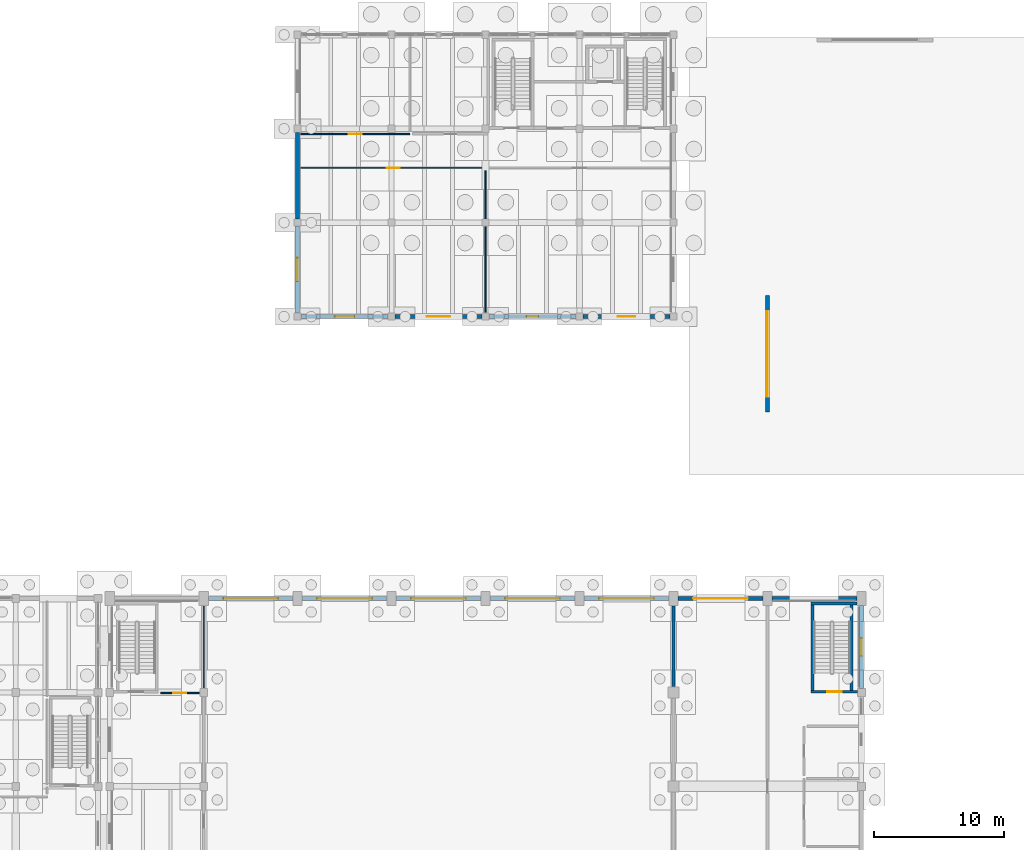
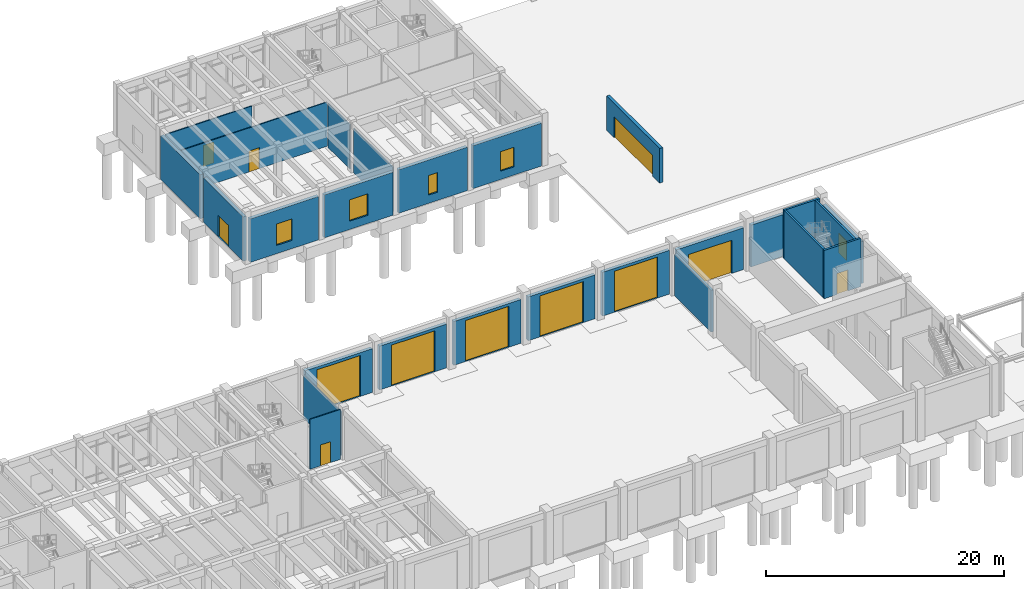
# One storey, part 68 of 93: 26 walls, 12 doors, 5 windows, 17 openings.
"""IFC4 building model written with IfcOpenShell, lengths in metres."""

from ifc_helpers import new_model, si_unit, direction, frame, frame_2d, origin, place, context, subcontext, project, spatial, rectangle, extrude, material, layer, layer_set, type_object, element, fill, save


model = new_model("IFC4")

# Units and contexts
model_context = context("Model", 3, precision=1e-05, world=origin(), true_north=direction((0.0, 1.0)))
body_context = subcontext(model_context, "Body", "Model", "MODEL_VIEW")
ifc_project = project(units=[si_unit("LENGTHUNIT", "METRE"), si_unit("AREAUNIT", "SQUARE_METRE"), si_unit("VOLUMEUNIT", "CUBIC_METRE"), si_unit("PLANEANGLEUNIT", "RADIAN"), si_unit("MASSUNIT", "GRAM", prefix="KILO")], contexts=[model_context])

# Site, building, storey
site_placement = place(None, origin())
site = spatial("IfcSite", under=ifc_project, at=site_placement, CompositionType="ELEMENT")
building_placement = place(site_placement, origin())
building = spatial("IfcBuilding", under=site, at=building_placement, Name="Koriwan Promenade Central Fire Station", CompositionType="ELEMENT")
storey_placement = place(building_placement, origin())
storey = spatial("IfcBuildingStorey", under=building, at=storey_placement, Name="L00", CompositionType="ELEMENT", Elevation=0.0)

# Wall, opening, window
ifc_material_1 = material(Name="Precast concrete C40/50", Category="concrete")
ifc_layer_1 = layer(ifc_material_1, 0.320068359375, Name="Precast concrete C40/50")
ifc_layer_set_1 = layer_set([ifc_layer_1], Name="Precast concrete C40/50")
wall_type_1 = type_object("IfcWallType", Name="ExtWall_Terracotta_320", PredefinedType="ELEMENTEDWALL", material=ifc_layer_set_1)
wall_1_placement = place(storey_placement, frame((115.199951171875, 65.10009765625, 0.0), z_axis=(0.0, 0.0, 1.0), x_axis=(0.0, 1.0, 0.0)))
wall_1 = element("IfcWall", 1, at=wall_1_placement, inside=storey, type_object=wall_type_1, Name="V1 L00 exterior wall 4", PredefinedType="ELEMENTEDWALL", context=body_context, shape_type="SweptSolid", body=[
    extrude(rectangle(XDim=6.349853515625, YDim=0.320068359375, at=frame_2d((3.1748046875, 0.0))), origin(), (0.0, 0.0, 1.0), 4.2900390625),
])
opening_1_placement = place(wall_1_placement, frame((2.5, 0.0, 0.85009765625)))
opening_1 = element("IfcOpeningElement", 2, at=opening_1_placement, cuts=wall_1, Name="Opening W-05", PredefinedType="OPENING", context=body_context, shape_type="SweptSolid", body=[
    extrude(rectangle(XDim=1.35009765625, YDim=2.0, at=frame_2d((0.675048828125, 1.0))), frame((0.0, 0.171875, 0.0), z_axis=(0.0, -1.0, 0.0), x_axis=(1.0, 0.0, 0.0)), (0.0, 0.0, 1.0), 0.343994140625),
])
ifc_material_2 = material(Name="Solar-control low-E laminated double glazing", Category="glass")
window_type_1 = type_object("IfcWindowType", Name="Win_HQ_1350x2000", PartitioningType="SINGLE_PANEL", PredefinedType="WINDOW", material=ifc_material_2)
window_1_placement = place(opening_1_placement, origin())
window_1 = element("IfcWindow", 3, at=window_1_placement, inside=storey, type_object=window_type_1, Name="V1 L00 window 0003", OverallHeight=2.0, OverallWidth=1.35009765625, PartitioningType="SINGLE_PANEL", PredefinedType="WINDOW", context=body_context, shape_type="SweptSolid", body=[
    extrude(rectangle(XDim=1.35009765625, YDim=2.0, at=frame_2d((0.675048828125, 1.0))), frame((0.0, 0.030029296875, 0.0), z_axis=(0.0, -1.0, 0.0), x_axis=(1.0, 0.0, 0.0)), (0.0, 0.0, 1.0), 0.06005859375),
])
fill(opening_1, window_1)

# Wall
wall_2_placement = place(storey_placement, frame((114.85009765625, 72.0, 0.0), z_axis=(0.0, 0.0, 1.0), x_axis=(-1.0, 0.0, 0.0)))
element("IfcWall", 4, at=wall_2_placement, inside=storey, type_object=wall_type_1, Name="V1 L00 exterior wall 5", PredefinedType="ELEMENTEDWALL", context=body_context, shape_type="SweptSolid", body=[
    extrude(rectangle(XDim=6.5, YDim=0.320068359375, at=frame_2d((3.25, 0.0))), origin(), (0.0, 0.0, 1.0), 4.2900390625),
])

# Wall, opening, door
wall_3_placement = place(storey_placement, frame((107.64990234375, 72.0, 0.0), z_axis=(0.0, 0.0, 1.0), x_axis=(-1.0, 0.0, 0.0)))
wall_3 = element("IfcWall", 5, at=wall_3_placement, inside=storey, type_object=wall_type_1, Name="V1 apparatus bay wall 6", PredefinedType="ELEMENTEDWALL", context=body_context, shape_type="SweptSolid", body=[
    extrude(rectangle(XDim=6.5, YDim=0.320068359375, at=frame_2d((3.25, 0.0))), origin(), (0.0, 0.0, 1.0), 4.2900390625),
])
opening_2_placement = place(wall_3_placement, frame((1.14990234375, 0.0, 0.0)))
opening_2 = element("IfcOpeningElement", 6, at=opening_2_placement, cuts=wall_3, Name="Opening APD-001", PredefinedType="OPENING", context=body_context, shape_type="SweptSolid", body=[
    extrude(rectangle(XDim=4.199951171875, YDim=3.39990234375, at=frame_2d((2.10009765625, 1.699951171875))), frame((0.0, 0.171875, 0.0), z_axis=(0.0, -1.0, 0.0), x_axis=(1.0, 0.0, 0.0)), (0.0, 0.0, 1.0), 0.343994140625),
])
ifc_material_3 = material(Name="Aluminium EN AW-6063-T6 and laminated safety glass", Category="aluminium")
door_type_1 = type_object("IfcDoorType", Name="ApparatusDoor_4200x3400", OperationType="DOUBLE_SWING_LEFT", PredefinedType="DOOR", material=ifc_material_3)
door_1_placement = place(opening_2_placement, frame((4.199951171875, 0.0, 0.0), z_axis=(0.0, 0.0, 1.0), x_axis=(-1.0, 0.0, 0.0)))
door_1 = element("IfcDoor", 7, at=door_1_placement, inside=storey, type_object=door_type_1, Name="Appliance Bay Double-Swing Vehicle Door APD-001", OperationType="DOUBLE_SWING_LEFT", OverallHeight=3.39990234375, OverallWidth=4.199951171875, PredefinedType="DOOR", context=body_context, shape_type="SweptSolid", body=[
    extrude(rectangle(XDim=4.199951171875, YDim=3.39990234375, at=frame_2d((2.10009765625, 1.699951171875))), frame((0.0, 0.02490234375, 0.0), z_axis=(0.0, -1.0, 0.0), x_axis=(1.0, 0.0, 0.0)), (0.0, 0.0, 1.0), 0.050048828125),
])
fill(opening_2, door_1)

wall_4_placement = place(storey_placement, frame((100.449951171875, 72.0, 0.0), z_axis=(0.0, 0.0, 1.0), x_axis=(-1.0, 0.0, 0.0)))
wall_4 = element("IfcWall", 8, at=wall_4_placement, inside=storey, type_object=wall_type_1, Name="V1 apparatus bay wall 7", PredefinedType="ELEMENTEDWALL", context=body_context, shape_type="SweptSolid", body=[
    extrude(rectangle(XDim=6.5, YDim=0.320068359375, at=frame_2d((3.25, 0.0))), origin(), (0.0, 0.0, 1.0), 4.489990234375),
])
opening_3_placement = place(wall_4_placement, frame((1.14990234375, 0.0, 0.0)))
opening_3 = element("IfcOpeningElement", 9, at=opening_3_placement, cuts=wall_4, Name="Opening APD-002", PredefinedType="OPENING", context=body_context, shape_type="SweptSolid", body=[
    extrude(rectangle(XDim=4.199951171875, YDim=4.199951171875, at=frame_2d((2.10009765625, 2.10009765625))), frame((0.0, 0.171875, 0.0), z_axis=(0.0, -1.0, 0.0), x_axis=(1.0, 0.0, 0.0)), (0.0, 0.0, 1.0), 0.343994140625),
])
door_type_2 = type_object("IfcDoorType", Name="ApparatusDoor_4200x4200", OperationType="DOUBLE_SWING_LEFT", PredefinedType="DOOR", material=ifc_material_3)
door_2_placement = place(opening_3_placement, frame((4.199951171875, 0.0, 0.0), z_axis=(0.0, 0.0, 1.0), x_axis=(-1.0, 0.0, 0.0)))
door_2 = element("IfcDoor", 10, at=door_2_placement, inside=storey, type_object=door_type_2, Name="Appliance Bay Double-Swing Vehicle Door APD-002", OperationType="DOUBLE_SWING_LEFT", OverallHeight=4.199951171875, OverallWidth=4.199951171875, PredefinedType="DOOR", context=body_context, shape_type="SweptSolid", body=[
    extrude(rectangle(XDim=4.199951171875, YDim=4.199951171875, at=frame_2d((2.10009765625, 2.10009765625))), frame((0.0, 0.02490234375, 0.0), z_axis=(0.0, -1.0, 0.0), x_axis=(1.0, 0.0, 0.0)), (0.0, 0.0, 1.0), 0.050048828125),
])
fill(opening_3, door_2)

wall_5_placement = place(storey_placement, frame((93.25, 72.0, 0.0), z_axis=(0.0, 0.0, 1.0), x_axis=(-1.0, 0.0, 0.0)))
wall_5 = element("IfcWall", 11, at=wall_5_placement, inside=storey, type_object=wall_type_1, Name="V1 apparatus bay wall 8", PredefinedType="ELEMENTEDWALL", context=body_context, shape_type="SweptSolid", body=[
    extrude(rectangle(XDim=6.5, YDim=0.320068359375, at=frame_2d((3.25, 0.0))), origin(), (0.0, 0.0, 1.0), 4.489990234375),
])
opening_4_placement = place(wall_5_placement, frame((1.14990234375, 0.0, 0.0)))
opening_4 = element("IfcOpeningElement", 12, at=opening_4_placement, cuts=wall_5, Name="Opening APD-003", PredefinedType="OPENING", context=body_context, shape_type="SweptSolid", body=[
    extrude(rectangle(XDim=4.199951171875, YDim=4.199951171875, at=frame_2d((2.10009765625, 2.10009765625))), frame((0.0, 0.171875, 0.0), z_axis=(0.0, -1.0, 0.0), x_axis=(1.0, 0.0, 0.0)), (0.0, 0.0, 1.0), 0.343994140625),
])
door_3_placement = place(opening_4_placement, frame((4.199951171875, 0.0, 0.0), z_axis=(0.0, 0.0, 1.0), x_axis=(-1.0, 0.0, 0.0)))
door_3 = element("IfcDoor", 13, at=door_3_placement, inside=storey, type_object=door_type_2, Name="Appliance Bay Double-Swing Vehicle Door APD-003", OperationType="DOUBLE_SWING_LEFT", OverallHeight=4.199951171875, OverallWidth=4.199951171875, PredefinedType="DOOR", context=body_context, shape_type="SweptSolid", body=[
    extrude(rectangle(XDim=4.199951171875, YDim=4.199951171875, at=frame_2d((2.10009765625, 2.10009765625))), frame((0.0, 0.02490234375, 0.0), z_axis=(0.0, -1.0, 0.0), x_axis=(1.0, 0.0, 0.0)), (0.0, 0.0, 1.0), 0.050048828125),
])
fill(opening_4, door_3)

wall_6_placement = place(storey_placement, frame((86.050048828125, 72.0, 0.0), z_axis=(0.0, 0.0, 1.0), x_axis=(-1.0, 0.0, 0.0)))
wall_6 = element("IfcWall", 14, at=wall_6_placement, inside=storey, type_object=wall_type_1, Name="V1 apparatus bay wall 9", PredefinedType="ELEMENTEDWALL", context=body_context, shape_type="SweptSolid", body=[
    extrude(rectangle(XDim=6.5, YDim=0.320068359375, at=frame_2d((3.25, 0.0))), origin(), (0.0, 0.0, 1.0), 4.489990234375),
])
opening_5_placement = place(wall_6_placement, frame((1.14990234375, 0.0, 0.0)))
opening_5 = element("IfcOpeningElement", 15, at=opening_5_placement, cuts=wall_6, Name="Opening APD-004", PredefinedType="OPENING", context=body_context, shape_type="SweptSolid", body=[
    extrude(rectangle(XDim=4.199951171875, YDim=4.199951171875, at=frame_2d((2.10009765625, 2.10009765625))), frame((0.0, 0.171875, 0.0), z_axis=(0.0, -1.0, 0.0), x_axis=(1.0, 0.0, 0.0)), (0.0, 0.0, 1.0), 0.343994140625),
])
door_4_placement = place(opening_5_placement, frame((4.199951171875, 0.0, 0.0), z_axis=(0.0, 0.0, 1.0), x_axis=(-1.0, 0.0, 0.0)))
door_4 = element("IfcDoor", 16, at=door_4_placement, inside=storey, type_object=door_type_2, Name="Appliance Bay Double-Swing Vehicle Door APD-004", OperationType="DOUBLE_SWING_LEFT", OverallHeight=4.199951171875, OverallWidth=4.199951171875, PredefinedType="DOOR", context=body_context, shape_type="SweptSolid", body=[
    extrude(rectangle(XDim=4.199951171875, YDim=4.199951171875, at=frame_2d((2.10009765625, 2.10009765625))), frame((0.0, 0.02490234375, 0.0), z_axis=(0.0, -1.0, 0.0), x_axis=(1.0, 0.0, 0.0)), (0.0, 0.0, 1.0), 0.050048828125),
])
fill(opening_5, door_4)

wall_7_placement = place(storey_placement, frame((78.85009765625, 72.0, 0.0), z_axis=(0.0, 0.0, 1.0), x_axis=(-1.0, 0.0, 0.0)))
wall_7 = element("IfcWall", 17, at=wall_7_placement, inside=storey, type_object=wall_type_1, Name="V1 apparatus bay wall 10", PredefinedType="ELEMENTEDWALL", context=body_context, shape_type="SweptSolid", body=[
    extrude(rectangle(XDim=6.5, YDim=0.320068359375, at=frame_2d((3.25, 0.0))), origin(), (0.0, 0.0, 1.0), 4.489990234375),
])
opening_6_placement = place(wall_7_placement, frame((1.14990234375, 0.0, 0.0)))
opening_6 = element("IfcOpeningElement", 18, at=opening_6_placement, cuts=wall_7, Name="Opening APD-005", PredefinedType="OPENING", context=body_context, shape_type="SweptSolid", body=[
    extrude(rectangle(XDim=4.199951171875, YDim=4.199951171875, at=frame_2d((2.10009765625, 2.10009765625))), frame((0.0, 0.171875, 0.0), z_axis=(0.0, -1.0, 0.0), x_axis=(1.0, 0.0, 0.0)), (0.0, 0.0, 1.0), 0.343994140625),
])
door_5_placement = place(opening_6_placement, frame((4.199951171875, 0.0, 0.0), z_axis=(0.0, 0.0, 1.0), x_axis=(-1.0, 0.0, 0.0)))
door_5 = element("IfcDoor", 19, at=door_5_placement, inside=storey, type_object=door_type_2, Name="Appliance Bay Double-Swing Vehicle Door APD-005", OperationType="DOUBLE_SWING_LEFT", OverallHeight=4.199951171875, OverallWidth=4.199951171875, PredefinedType="DOOR", context=body_context, shape_type="SweptSolid", body=[
    extrude(rectangle(XDim=4.199951171875, YDim=4.199951171875, at=frame_2d((2.10009765625, 2.10009765625))), frame((0.0, 0.02490234375, 0.0), z_axis=(0.0, -1.0, 0.0), x_axis=(1.0, 0.0, 0.0)), (0.0, 0.0, 1.0), 0.050048828125),
])
fill(opening_6, door_5)

wall_8_placement = place(storey_placement, frame((71.64990234375, 72.0, 0.0), z_axis=(0.0, 0.0, 1.0), x_axis=(-1.0, 0.0, 0.0)))
wall_8 = element("IfcWall", 20, at=wall_8_placement, inside=storey, type_object=wall_type_1, Name="V1 apparatus bay wall 11", PredefinedType="ELEMENTEDWALL", context=body_context, shape_type="SweptSolid", body=[
    extrude(rectangle(XDim=6.5, YDim=0.320068359375, at=frame_2d((3.25, 0.0))), origin(), (0.0, 0.0, 1.0), 4.489990234375),
])
opening_7_placement = place(wall_8_placement, frame((1.14990234375, 0.0, 0.0)))
opening_7 = element("IfcOpeningElement", 21, at=opening_7_placement, cuts=wall_8, Name="Opening APD-006", PredefinedType="OPENING", context=body_context, shape_type="SweptSolid", body=[
    extrude(rectangle(XDim=4.199951171875, YDim=4.199951171875, at=frame_2d((2.10009765625, 2.10009765625))), frame((0.0, 0.171875, 0.0), z_axis=(0.0, -1.0, 0.0), x_axis=(1.0, 0.0, 0.0)), (0.0, 0.0, 1.0), 0.343994140625),
])
door_6_placement = place(opening_7_placement, frame((4.199951171875, 0.0, 0.0), z_axis=(0.0, 0.0, 1.0), x_axis=(-1.0, 0.0, 0.0)))
door_6 = element("IfcDoor", 22, at=door_6_placement, inside=storey, type_object=door_type_2, Name="Appliance Bay Double-Swing Vehicle Door APD-006", OperationType="DOUBLE_SWING_LEFT", OverallHeight=4.199951171875, OverallWidth=4.199951171875, PredefinedType="DOOR", context=body_context, shape_type="SweptSolid", body=[
    extrude(rectangle(XDim=4.199951171875, YDim=4.199951171875, at=frame_2d((2.10009765625, 2.10009765625))), frame((0.0, 0.02490234375, 0.0), z_axis=(0.0, -1.0, 0.0), x_axis=(1.0, 0.0, 0.0)), (0.0, 0.0, 1.0), 0.050048828125),
])
fill(opening_7, door_6)

# Wall
wall_9_placement = place(storey_placement, frame((72.0, 107.72509765625, 0.0), z_axis=(0.0, 0.0, 1.0), x_axis=(0.0, -1.0, 0.0)))
element("IfcWall", 23, at=wall_9_placement, inside=storey, type_object=wall_type_1, Name="V2 L00 exterior wall 55", PredefinedType="ELEMENTEDWALL", context=body_context, shape_type="SweptSolid", body=[
    extrude(rectangle(XDim=6.650146484375, YDim=0.320068359375, at=frame_2d((3.3251953125, 0.0))), origin(), (0.0, 0.0, 1.0), 4.5),
])

# Wall, opening, door
wall_10_placement = place(storey_placement, frame((72.0, 100.52490234375, 0.0), z_axis=(0.0, 0.0, 1.0), x_axis=(0.0, -1.0, 0.0)))
wall_10 = element("IfcWall", 24, at=wall_10_placement, inside=storey, type_object=wall_type_1, Name="V2 L00 exterior wall 56", PredefinedType="ELEMENTEDWALL", context=body_context, shape_type="SweptSolid", body=[
    extrude(rectangle(XDim=6.64990234375, YDim=0.320068359375, at=frame_2d((3.324951171875, 0.0))), origin(), (0.0, 0.0, 1.0), 4.550048828125),
])
opening_8_placement = place(wall_10_placement, frame((2.425048828125, 0.0, 0.0)))
opening_8 = element("IfcOpeningElement", 25, at=opening_8_placement, cuts=wall_10, Name="Opening ED-016", PredefinedType="OPENING", context=body_context, shape_type="SweptSolid", body=[
    extrude(rectangle(XDim=1.800048828125, YDim=2.199951171875, at=frame_2d((0.89990234375, 1.10009765625))), frame((0.0, 0.171875, 0.0), z_axis=(0.0, -1.0, 0.0), x_axis=(1.0, 0.0, 0.0)), (0.0, 0.0, 1.0), 0.343994140625),
])
door_type_3 = type_object("IfcDoorType", Name="ExitDoorDouble_1800x2200", OperationType="DOUBLE_SWING_LEFT", PredefinedType="DOOR", material=ifc_material_3)
door_7_placement = place(opening_8_placement, frame((1.800048828125, 0.0, 0.0), z_axis=(0.0, 0.0, 1.0), x_axis=(-1.0, 0.0, 0.0)))
door_7 = element("IfcDoor", 26, at=door_7_placement, inside=storey, type_object=door_type_3, Name="V2 Final Pedestrian Exit Door ED-016", OperationType="DOUBLE_SWING_LEFT", OverallHeight=2.199951171875, OverallWidth=1.800048828125, PredefinedType="DOOR", context=body_context, shape_type="SweptSolid", body=[
    extrude(rectangle(XDim=1.800048828125, YDim=2.199951171875, at=frame_2d((0.89990234375, 1.10009765625))), frame((0.0, 0.02490234375, 0.0), z_axis=(0.0, -1.0, 0.0), x_axis=(1.0, 0.0, 0.0)), (0.0, 0.0, 1.0), 0.050048828125),
])
fill(opening_8, door_7)

# Wall, opening, window
wall_11_placement = place(storey_placement, frame((72.27490234375, 93.60009765625, 0.0), z_axis=(0.0, 0.0, 1.0), x_axis=(1.0, 0.0, 0.0)))
wall_11 = element("IfcWall", 27, at=wall_11_placement, inside=storey, type_object=wall_type_1, Name="V2 L00 exterior wall 57", PredefinedType="ELEMENTEDWALL", context=body_context, shape_type="SweptSolid", body=[
    extrude(rectangle(XDim=6.650146484375, YDim=0.320068359375, at=frame_2d((3.3251953125, 0.0))), origin(), (0.0, 0.0, 1.0), 4.449951171875),
])
opening_9_placement = place(wall_11_placement, frame((2.574951171875, 0.0, 0.85009765625)))
opening_9 = element("IfcOpeningElement", 28, at=opening_9_placement, cuts=wall_11, Name="Opening W-02", PredefinedType="OPENING", context=body_context, shape_type="SweptSolid", body=[
    extrude(rectangle(XDim=1.5, YDim=2.199951171875, at=frame_2d((0.75, 1.10009765625))), frame((0.0, 0.171875, 0.0), z_axis=(0.0, -1.0, 0.0), x_axis=(1.0, 0.0, 0.0)), (0.0, 0.0, 1.0), 0.343994140625),
])
window_type_2 = type_object("IfcWindowType", Name="Win_Jharokha_1500x2200", PartitioningType="SINGLE_PANEL", PredefinedType="WINDOW", material=ifc_material_2)
window_2_placement = place(opening_9_placement, origin())
window_2 = element("IfcWindow", 29, at=window_2_placement, inside=storey, type_object=window_type_2, Name="V2 L00 window 0025", OverallHeight=2.199951171875, OverallWidth=1.5, PartitioningType="SINGLE_PANEL", PredefinedType="WINDOW", context=body_context, shape_type="SweptSolid", body=[
    extrude(rectangle(XDim=1.5, YDim=2.199951171875, at=frame_2d((0.75, 1.10009765625))), frame((0.0, 0.030029296875, 0.0), z_axis=(0.0, -1.0, 0.0), x_axis=(1.0, 0.0, 0.0)), (0.0, 0.0, 1.0), 0.06005859375),
])
fill(opening_9, window_2)

wall_12_placement = place(storey_placement, frame((79.47509765625, 93.60009765625, 0.0), z_axis=(0.0, 0.0, 1.0), x_axis=(1.0, 0.0, 0.0)))
wall_12 = element("IfcWall", 30, at=wall_12_placement, inside=storey, type_object=wall_type_1, Name="V2 L00 exterior wall 58", PredefinedType="ELEMENTEDWALL", context=body_context, shape_type="SweptSolid", body=[
    extrude(rectangle(XDim=6.64990234375, YDim=0.320068359375, at=frame_2d((3.324951171875, 0.0))), origin(), (0.0, 0.0, 1.0), 4.39990234375),
])
opening_10_placement = place(wall_12_placement, frame((2.425048828125, 0.0, 0.85009765625)))
opening_10 = element("IfcOpeningElement", 31, at=opening_10_placement, cuts=wall_12, Name="Opening W-03", PredefinedType="OPENING", context=body_context, shape_type="SweptSolid", body=[
    extrude(rectangle(XDim=1.800048828125, YDim=2.199951171875, at=frame_2d((0.89990234375, 1.10009765625))), frame((0.0, 0.171875, 0.0), z_axis=(0.0, -1.0, 0.0), x_axis=(1.0, 0.0, 0.0)), (0.0, 0.0, 1.0), 0.343994140625),
])
window_type_3 = type_object("IfcWindowType", Name="Win_Jharokha_1800x2200", PartitioningType="SINGLE_PANEL", PredefinedType="WINDOW", material=ifc_material_2)
window_3_placement = place(opening_10_placement, origin())
window_3 = element("IfcWindow", 32, at=window_3_placement, inside=storey, type_object=window_type_3, Name="V2 L00 window 0026", OverallHeight=2.199951171875, OverallWidth=1.800048828125, PartitioningType="SINGLE_PANEL", PredefinedType="WINDOW", context=body_context, shape_type="SweptSolid", body=[
    extrude(rectangle(XDim=1.800048828125, YDim=2.199951171875, at=frame_2d((0.89990234375, 1.10009765625))), frame((0.0, 0.030029296875, 0.0), z_axis=(0.0, -1.0, 0.0), x_axis=(1.0, 0.0, 0.0)), (0.0, 0.0, 1.0), 0.06005859375),
])
fill(opening_10, window_3)

wall_13_placement = place(storey_placement, frame((86.675048828125, 93.60009765625, 0.0), z_axis=(0.0, 0.0, 1.0), x_axis=(1.0, 0.0, 0.0)))
wall_13 = element("IfcWall", 33, at=wall_13_placement, inside=storey, type_object=wall_type_1, Name="V2 L00 exterior wall 59", PredefinedType="ELEMENTEDWALL", context=body_context, shape_type="SweptSolid", body=[
    extrude(rectangle(XDim=6.64990234375, YDim=0.320068359375, at=frame_2d((3.324951171875, 0.0))), origin(), (0.0, 0.0, 1.0), 4.449951171875),
])
opening_11_placement = place(wall_13_placement, frame((2.875, 0.0, 0.85009765625)))
opening_11 = element("IfcOpeningElement", 34, at=opening_11_placement, cuts=wall_13, Name="Opening W-04", PredefinedType="OPENING", context=body_context, shape_type="SweptSolid", body=[
    extrude(rectangle(XDim=0.89990234375, YDim=2.0, at=frame_2d((0.449951171875, 1.0))), frame((0.0, 0.171875, 0.0), z_axis=(0.0, -1.0, 0.0), x_axis=(1.0, 0.0, 0.0)), (0.0, 0.0, 1.0), 0.343994140625),
])
window_type_4 = type_object("IfcWindowType", Name="Win_HQ_900x2000", PartitioningType="SINGLE_PANEL", PredefinedType="WINDOW", material=ifc_material_2)
window_4_placement = place(opening_11_placement, origin())
window_4 = element("IfcWindow", 35, at=window_4_placement, inside=storey, type_object=window_type_4, Name="V2 L00 window 0027", OverallHeight=2.0, OverallWidth=0.89990234375, PartitioningType="SINGLE_PANEL", PredefinedType="WINDOW", context=body_context, shape_type="SweptSolid", body=[
    extrude(rectangle(XDim=0.89990234375, YDim=2.0, at=frame_2d((0.449951171875, 1.0))), frame((0.0, 0.030029296875, 0.0), z_axis=(0.0, -1.0, 0.0), x_axis=(1.0, 0.0, 0.0)), (0.0, 0.0, 1.0), 0.06005859375),
])
fill(opening_11, window_4)

wall_14_placement = place(storey_placement, frame((93.875, 93.60009765625, 0.0), z_axis=(0.0, 0.0, 1.0), x_axis=(1.0, 0.0, 0.0)))
wall_14 = element("IfcWall", 36, at=wall_14_placement, inside=storey, type_object=wall_type_1, Name="V2 L00 exterior wall 60", PredefinedType="ELEMENTEDWALL", context=body_context, shape_type="SweptSolid", body=[
    extrude(rectangle(XDim=6.64990234375, YDim=0.320068359375, at=frame_2d((3.324951171875, 0.0))), origin(), (0.0, 0.0, 1.0), 4.39990234375),
])
opening_12_placement = place(wall_14_placement, frame((2.64990234375, 0.0, 0.85009765625)))
opening_12 = element("IfcOpeningElement", 37, at=opening_12_placement, cuts=wall_14, Name="Opening W-05", PredefinedType="OPENING", context=body_context, shape_type="SweptSolid", body=[
    extrude(rectangle(XDim=1.35009765625, YDim=2.0, at=frame_2d((0.675048828125, 1.0))), frame((0.0, 0.171875, 0.0), z_axis=(0.0, -1.0, 0.0), x_axis=(1.0, 0.0, 0.0)), (0.0, 0.0, 1.0), 0.343994140625),
])
window_5_placement = place(opening_12_placement, origin())
window_5 = element("IfcWindow", 38, at=window_5_placement, inside=storey, type_object=window_type_1, Name="V2 L00 window 0028", OverallHeight=2.0, OverallWidth=1.35009765625, PartitioningType="SINGLE_PANEL", PredefinedType="WINDOW", context=body_context, shape_type="SweptSolid", body=[
    extrude(rectangle(XDim=1.35009765625, YDim=2.0, at=frame_2d((0.675048828125, 1.0))), frame((0.0, 0.030029296875, 0.0), z_axis=(0.0, -1.0, 0.0), x_axis=(1.0, 0.0, 0.0)), (0.0, 0.0, 1.0), 0.06005859375),
])
fill(opening_12, window_5)

# Wall, opening, door
ifc_material_4 = material(Name="Gypsum board acoustic stud partition", Category="gypsum")
ifc_layer_2 = layer(ifc_material_4, 0.10009765625, Name="Gypsum board acoustic stud partition")
ifc_layer_set_2 = layer_set([ifc_layer_2], Name="Gypsum board acoustic stud partition")
wall_type_2 = type_object("IfcWallType", Name="IntWall_Drywall_100", PredefinedType="PARTITIONING", material=ifc_layer_set_2)
wall_15_placement = place(storey_placement, frame((61.495849609375, 64.75, 0.0), z_axis=(0.0, 0.0, 1.0), x_axis=(1.0, 0.0, 0.0)))
wall_15 = element("IfcWall", 39, at=wall_15_placement, inside=storey, type_object=wall_type_2, Name="Rapid Refill Breathing Apparatus Room partition S", PredefinedType="PARTITIONING", context=body_context, shape_type="SweptSolid", body=[
    extrude(rectangle(XDim=2.964111328125, YDim=0.10009765625, at=frame_2d((1.48193359375, 0.0))), origin(), (0.0, 0.0, 1.0), 5.1201171875),
])
opening_13_placement = place(wall_15_placement, frame((0.982177734375, 0.0, 0.0)))
opening_13 = element("IfcOpeningElement", 40, at=opening_13_placement, cuts=wall_15, Name="Opening D-074", PredefinedType="OPENING", context=body_context, shape_type="SweptSolid", body=[
    extrude(rectangle(XDim=1.0, YDim=2.14990234375, at=frame_2d((0.5, 1.074951171875))), frame((0.0, 0.06201171875, 0.0), z_axis=(0.0, -1.0, 0.0), x_axis=(1.0, 0.0, 0.0)), (0.0, 0.0, 1.0), 0.1240234375),
])
ifc_material_5 = material(Name="Hardwood veneer solid-core timber", Category="wood")
door_type_4 = type_object("IfcDoorType", Name="RoomDoor_Office_1000x2150", OperationType="NOTDEFINED", PredefinedType="DOOR", material=ifc_material_5)
door_8_placement = place(opening_13_placement, origin())
door_8 = element("IfcDoor", 41, at=door_8_placement, inside=storey, type_object=door_type_4, Name="Rapid Refill Breathing Apparatus Room Door D-074", OperationType="SINGLE_SWING_RIGHT", OverallHeight=2.14990234375, OverallWidth=1.0, PredefinedType="DOOR", context=body_context, shape_type="SweptSolid", body=[
    extrude(rectangle(XDim=1.0, YDim=2.14990234375, at=frame_2d((0.5, 1.074951171875))), frame((0.0, 0.02490234375, 0.0), z_axis=(0.0, -1.0, 0.0), x_axis=(1.0, 0.0, 0.0)), (0.0, 0.0, 1.0), 0.050048828125),
])
fill(opening_13, door_8)

# Wall
wall_16_placement = place(storey_placement, frame((64.800048828125, 65.139892578125, 0.0), z_axis=(0.0, 0.0, 1.0), x_axis=(0.0, 1.0, 0.0)))
element("IfcWall", 42, at=wall_16_placement, inside=storey, type_object=wall_type_2, Name="Rapid Refill Breathing Apparatus Room partition E", PredefinedType="PARTITIONING", context=body_context, shape_type="SweptSolid", body=[
    extrude(rectangle(XDim=6.27001953125, YDim=0.10009765625, at=frame_2d((3.135009765625, 0.0))), origin(), (0.0, 0.0, 1.0), 4.488037109375),
])

# Wall, opening, door
wall_17_placement = place(storey_placement, frame((72.219970703125, 105.0, 0.0), z_axis=(0.0, 0.0, 1.0), x_axis=(1.0, 0.0, 0.0)))
wall_17 = element("IfcWall", 43, at=wall_17_placement, inside=storey, type_object=wall_type_2, Name="Live Smoke House Training Chamber partition N", PredefinedType="PARTITIONING", context=body_context, shape_type="SweptSolid", body=[
    extrude(rectangle(XDim=14.179931640625, YDim=0.10009765625, at=frame_2d((7.08984375, 0.0))), origin(), (0.0, 0.0, 1.0), 4.51806640625),
])
opening_14_placement = place(wall_17_placement, frame((6.590087890625, 0.0, 0.0)))
opening_14 = element("IfcOpeningElement", 44, at=opening_14_placement, cuts=wall_17, Name="Opening D-124", PredefinedType="OPENING", context=body_context, shape_type="SweptSolid", body=[
    extrude(rectangle(XDim=1.0, YDim=2.14990234375, at=frame_2d((0.5, 1.074951171875))), frame((0.0, 0.06201171875, 0.0), z_axis=(0.0, -1.0, 0.0), x_axis=(1.0, 0.0, 0.0)), (0.0, 0.0, 1.0), 0.1240234375),
])
door_9_placement = place(opening_14_placement, origin())
door_9 = element("IfcDoor", 45, at=door_9_placement, inside=storey, type_object=door_type_4, Name="Live Smoke House Training Chamber Door D-124", OperationType="SINGLE_SWING_RIGHT", OverallHeight=2.14990234375, OverallWidth=1.0, PredefinedType="DOOR", context=body_context, shape_type="SweptSolid", body=[
    extrude(rectangle(XDim=1.0, YDim=2.14990234375, at=frame_2d((0.5, 1.074951171875))), frame((0.0, 0.02490234375, 0.0), z_axis=(0.0, -1.0, 0.0), x_axis=(1.0, 0.0, 0.0)), (0.0, 0.0, 1.0), 0.050048828125),
])
fill(opening_14, door_9)

# Walls
wall_18_placement = place(storey_placement, frame((86.39990234375, 93.9150390625, 0.0), z_axis=(0.0, 0.0, 1.0), x_axis=(0.0, 1.0, 0.0)))
element("IfcWall", 46, at=wall_18_placement, inside=storey, type_object=wall_type_2, Name="Live Smoke House Training Chamber partition E", PredefinedType="PARTITIONING", context=body_context, shape_type="SweptSolid", body=[
    extrude(rectangle(XDim=6.570068359375, YDim=0.10009765625, at=frame_2d((3.28515625, 0.0))), origin(), (0.0, 0.0, 1.0), 4.548095703125),
])
wall_19_placement = place(storey_placement, frame((86.39990234375, 101.114990234375, 0.0), z_axis=(0.0, 0.0, 1.0), x_axis=(0.0, 1.0, 0.0)))
element("IfcWall", 47, at=wall_19_placement, inside=storey, type_object=wall_type_2, Name="Live Smoke House Training Chamber partition E", PredefinedType="PARTITIONING", context=body_context, shape_type="SweptSolid", body=[
    extrude(rectangle(XDim=3.6650390625, YDim=0.10009765625, at=frame_2d((1.83251953125, 0.0))), origin(), (0.0, 0.0, 1.0), 4.51806640625),
])

# Wall, opening, door
wall_20_placement = place(storey_placement, frame((72.219970703125, 107.60009765625, 0.0), z_axis=(0.0, 0.0, 1.0), x_axis=(1.0, 0.0, 0.0)))
wall_20 = element("IfcWall", 48, at=wall_20_placement, inside=storey, type_object=wall_type_2, Name="Standpipe and Hose Rigging Room partition S", PredefinedType="PARTITIONING", context=body_context, shape_type="SweptSolid", body=[
    extrude(rectangle(XDim=8.380126953125, YDim=0.10009765625, at=frame_2d((4.18994140625, 0.0))), origin(), (0.0, 0.0, 1.0), 4.568115234375),
])
opening_15_placement = place(wall_20_placement, frame((3.68994140625, 0.0, 0.0)))
opening_15 = element("IfcOpeningElement", 49, at=opening_15_placement, cuts=wall_20, Name="Opening D-126", PredefinedType="OPENING", context=body_context, shape_type="SweptSolid", body=[
    extrude(rectangle(XDim=1.0, YDim=2.14990234375, at=frame_2d((0.5, 1.074951171875))), frame((0.0, 0.06201171875, 0.0), z_axis=(0.0, -1.0, 0.0), x_axis=(1.0, 0.0, 0.0)), (0.0, 0.0, 1.0), 0.1240234375),
])
door_10_placement = place(opening_15_placement, origin())
door_10 = element("IfcDoor", 50, at=door_10_placement, inside=storey, type_object=door_type_4, Name="Standpipe and Hose Rigging Room Door D-126", OperationType="SINGLE_SWING_RIGHT", OverallHeight=2.14990234375, OverallWidth=1.0, PredefinedType="DOOR", context=body_context, shape_type="SweptSolid", body=[
    extrude(rectangle(XDim=1.0, YDim=2.14990234375, at=frame_2d((0.5, 1.074951171875))), frame((0.0, 0.02490234375, 0.0), z_axis=(0.0, -1.0, 0.0), x_axis=(1.0, 0.0, 0.0)), (0.0, 0.0, 1.0), 0.050048828125),
])
fill(opening_15, door_10)

# Wall
ifc_material_6 = material(Name="Concrete C35/45 compartment wall", Category="concrete")
ifc_layer_3 = layer(ifc_material_6, 0.219970703125, Name="Concrete C35/45 compartment wall")
ifc_layer_set_3 = layer_set([ifc_layer_3], Name="Concrete C35/45 compartment wall")
wall_type_3 = type_object("IfcWallType", Name="IntWall_Plant_220", PredefinedType="STANDARD", material=ifc_layer_set_3)
wall_21_placement = place(storey_placement, frame((100.800048828125, 65.264892578125, 0.0), z_axis=(0.0, 0.0, 1.0), x_axis=(0.0, 1.0, 0.0)))
element("IfcWall", 51, at=wall_21_placement, inside=storey, type_object=wall_type_3, Name="Main Six-Engine Appliance Bay partition E", PredefinedType="STANDARD", context=body_context, shape_type="SweptSolid", body=[
    extrude(rectangle(XDim=6.14501953125, YDim=0.219970703125, at=frame_2d((3.072509765625, 0.0))), origin(), (0.0, 0.0, 1.0), 4.2880859375),
])

# Wall, opening, door
ifc_material_7 = material(Name="Concrete C40/50", Category="concrete")
ifc_layer_4 = layer(ifc_material_7, 0.199951171875, Name="Concrete C40/50")
ifc_layer_set_4 = layer_set([ifc_layer_4], Name="Concrete C40/50")
wall_type_4 = type_object("IfcWallType", Name="ShearWall_200", PredefinedType="SHEAR", material=ifc_layer_set_4)
wall_22_placement = place(storey_placement, frame((111.360107421875, 64.85009765625, 0.0), z_axis=(0.0, 0.0, 1.0), x_axis=(1.0, 0.0, 0.0)))
wall_22 = element("IfcWall", 52, at=wall_22_placement, inside=storey, type_object=wall_type_4, Name="ST02 L00 structural stair wall S", PredefinedType="SHEAR", context=body_context, shape_type="SweptSolid", body=[
    extrude(rectangle(XDim=3.539794921875, YDim=0.199951171875, at=frame_2d((1.77001953125, 0.0))), origin(), (0.0, 0.0, 1.0), 4.949951171875),
])
opening_16_placement = place(wall_22_placement, frame((1.219970703125, 0.0, 0.0)))
opening_16 = element("IfcOpeningElement", 53, at=opening_16_placement, cuts=wall_22, Name="Opening SD-004", PredefinedType="OPENING", context=body_context, shape_type="SweptSolid", body=[
    extrude(rectangle(XDim=1.10009765625, YDim=2.14990234375, at=frame_2d((0.550048828125, 1.074951171875))), frame((0.0, 0.11181640625, 0.0), z_axis=(0.0, -1.0, 0.0), x_axis=(1.0, 0.0, 0.0)), (0.0, 0.0, 1.0), 0.223876953125),
])
ifc_material_8 = material(Name="Painted galvanized fire-door steel", Category="steel")
door_type_5 = type_object("IfcDoorType", Name="FireDoor_Stair_1100x2150", OperationType="NOTDEFINED", PredefinedType="DOOR", material=ifc_material_8)
door_11_placement = place(opening_16_placement, frame((1.10009765625, 0.0, 0.0), z_axis=(0.0, 0.0, 1.0), x_axis=(-1.0, 0.0, 0.0)))
door_11 = element("IfcDoor", 54, at=door_11_placement, inside=storey, type_object=door_type_5, Name="Protected Stair ST02 Fire Door SD-004", OperationType="SINGLE_SWING_LEFT", OverallHeight=2.14990234375, OverallWidth=1.10009765625, PredefinedType="DOOR", context=body_context, shape_type="SweptSolid", body=[
    extrude(rectangle(XDim=1.10009765625, YDim=2.14990234375, at=frame_2d((0.550048828125, 1.074951171875))), frame((0.0, 0.02490234375, 0.0), z_axis=(0.0, -1.0, 0.0), x_axis=(1.0, 0.0, 0.0)), (0.0, 0.0, 1.0), 0.050048828125),
])
fill(opening_16, door_11)

# Walls
wall_23_placement = place(storey_placement, frame((111.360107421875, 71.610107421875, 0.0), z_axis=(0.0, 0.0, 1.0), x_axis=(1.0, 0.0, 0.0)))
element("IfcWall", 55, at=wall_23_placement, inside=storey, type_object=wall_type_4, Name="ST02 L00 structural stair wall N", PredefinedType="SHEAR", context=body_context, shape_type="SweptSolid", body=[
    extrude(rectangle(XDim=3.489990234375, YDim=0.199951171875, at=frame_2d((1.7451171875, 0.0))), origin(), (0.0, 0.0, 1.0), 4.949951171875),
])
for number, where, z_axis, x_axis, name in (
    (56, (111.4599609375, 64.949951171875, 0.0), (0.0, 0.0, 1.0), (0.0, 1.0, 0.0), "ST02 L00 structural stair wall W"),
    (57, (114.449951171875, 64.949951171875, 0.0), (0.0, 0.0, 1.0), (0.0, 1.0, 0.0), "ST02 L00 structural stair wall E"),
):
    element("IfcWall", number, at=place(storey_placement, frame(where, z_axis=z_axis, x_axis=x_axis)), inside=storey, type_object=wall_type_4, Name=name, PredefinedType="SHEAR", context=body_context, shape_type="SweptSolid", body=[
        extrude(rectangle(XDim=6.56005859375, YDim=0.199951171875, at=frame_2d((3.280029296875, 0.0))), origin(), (0.0, 0.0, 1.0), 4.949951171875),
    ])

# Wall, opening, door
ifc_material_9 = material(Name="Natural sillar sandstone ashlar", Category="masonry")
ifc_layer_5 = layer(ifc_material_9, 0.300048828125, Name="Natural sillar sandstone ashlar")
ifc_layer_set_5 = layer_set([ifc_layer_5], Name="Natural sillar sandstone ashlar")
wall_type_5 = type_object("IfcWallType", Name="SitePortalWall_300", PredefinedType="STANDARD", material=ifc_layer_set_5)
wall_24_placement = place(storey_placement, frame((108.0, 86.300048828125, 0.0), z_axis=(0.0, 0.0, 1.0), x_axis=(0.0, 1.0, 0.0)))
wall_24 = element("IfcWall", 58, at=wall_24_placement, inside=storey, type_object=wall_type_5, Name="Marshalling Yard Car Park Exit Portal structural sillar wall", PredefinedType="STANDARD", context=body_context, shape_type="SweptSolid", body=[
    extrude(rectangle(XDim=8.89990234375, YDim=0.300048828125, at=frame_2d((4.449951171875, 0.0))), origin(), (0.0, 0.0, 1.0), 3.550048828125),
])
opening_17_placement = place(wall_24_placement, frame((1.199951171875, 0.0, 0.0)))
opening_17 = element("IfcOpeningElement", 59, at=opening_17_placement, cuts=wall_24, Name="Opening VG-02", PredefinedType="OPENING", context=body_context, shape_type="SweptSolid", body=[
    extrude(rectangle(XDim=6.5, YDim=2.14990234375, at=frame_2d((3.25, 1.074951171875))), frame((0.0, 0.162109375, 0.0), z_axis=(0.0, -1.0, 0.0), x_axis=(1.0, 0.0, 0.0)), (0.0, 0.0, 1.0), 0.323974609375),
])
door_type_6 = type_object("IfcDoorType", Name="VehicleGate_6500x2150", OperationType="DOUBLE_SWING_LEFT", PredefinedType="DOOR", material=ifc_material_3)
door_12_placement = place(opening_17_placement, frame((6.5, 0.0, 0.0), z_axis=(0.0, 0.0, 1.0), x_axis=(-1.0, 0.0, 0.0)))
door_12 = element("IfcDoor", 60, at=door_12_placement, inside=storey, type_object=door_type_6, Name="Car Park Two-Way Vehicle Access Gate VG-02", OperationType="DOUBLE_SWING_LEFT", OverallHeight=2.14990234375, OverallWidth=6.5, PredefinedType="DOOR", context=body_context, shape_type="SweptSolid", body=[
    extrude(rectangle(XDim=6.5, YDim=2.14990234375, at=frame_2d((3.25, 1.074951171875))), frame((0.0, 0.02490234375, 0.0), z_axis=(0.0, -1.0, 0.0), x_axis=(1.0, 0.0, 0.0)), (0.0, 0.0, 1.0), 0.050048828125),
])
fill(opening_17, door_12)

save(model, "model.ifc")
